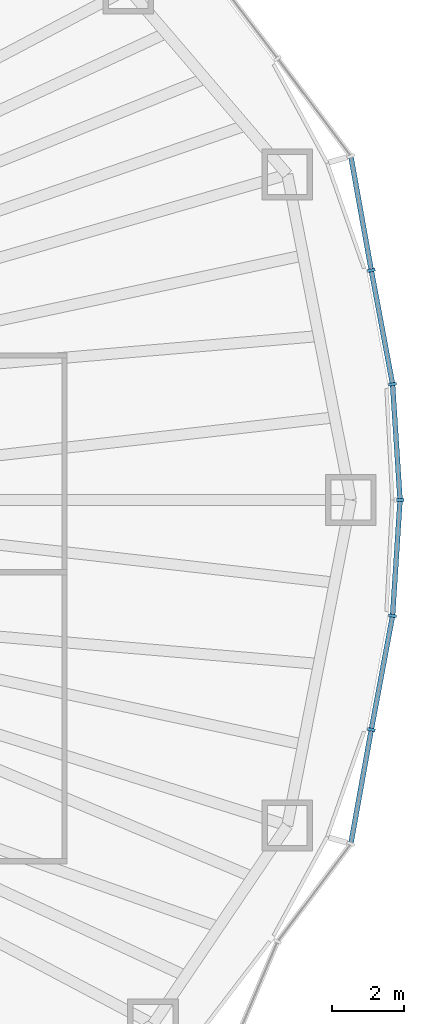
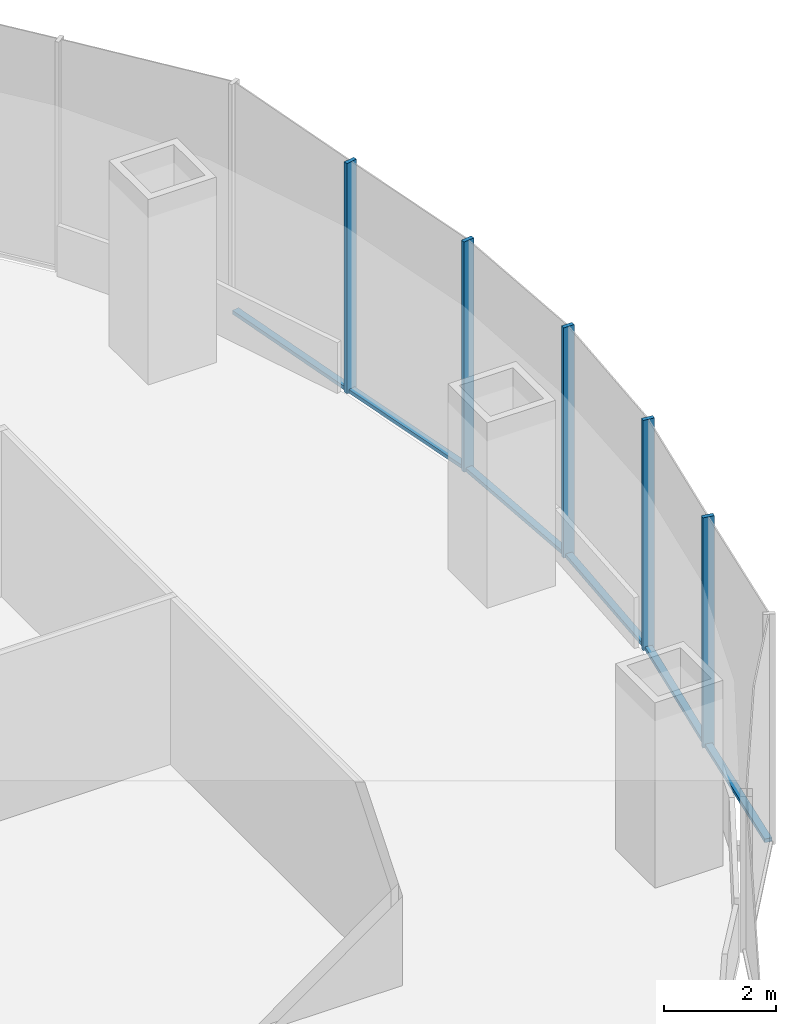
# One storey, part 7 of 18: 11 members, 2 elements without a shape of their own.
"""IFC4 building model written with IfcOpenShell, lengths in metres."""

from ifc_helpers import new_model, si_unit, direction, frame, origin, origin_2d, place, context, subcontext, project, spatial, rectangle, extrude, material, material_profile, profile_set, type_object, element, aggregate, save


model = new_model("IFC4")

# Units and contexts
model_context = context("Model", 3, precision=1e-05, world=origin(), true_north=direction((0.0, 1.0)))
body_context = subcontext(model_context, "Body", "Model", "MODEL_VIEW")
ifc_project = project(units=[si_unit("LENGTHUNIT", "METRE"), si_unit("AREAUNIT", "SQUARE_METRE"), si_unit("VOLUMEUNIT", "CUBIC_METRE"), si_unit("PLANEANGLEUNIT", "RADIAN"), si_unit("MASSUNIT", "GRAM", prefix="KILO")], contexts=[model_context])

# Site, building, storey
site_placement = place(None, origin())
site = spatial("IfcSite", under=ifc_project, at=site_placement, CompositionType="ELEMENT")
building_placement = place(site_placement, origin())
building = spatial("IfcBuilding", under=site, at=building_placement, Name="Ghaith Harvest Tower", CompositionType="ELEMENT")
storey_placement = place(building_placement, frame((0.0, 0.0, 95.0)))
storey = spatial("IfcBuildingStorey", under=building, at=storey_placement, Name="L19", CompositionType="ELEMENT", Elevation=95.0)

# Curtain wall, members
ifc_material_1 = material(Name="Black anodised aluminium and fritted glass", Category="aluminium")
curtain_wall_type = type_object("IfcCurtainWallType", Name="CW-F CURTAIN WALL", PredefinedType="NOTDEFINED", material=ifc_material_1)
curtain_wall_1_placement = place(storey_placement, origin())
curtain_wall_1 = element("IfcCurtainWall", 1, at=curtain_wall_1_placement, inside=storey, type_object=curtain_wall_type, Name="Curtain wall CW-F bay 01 L19", PredefinedType="NOTDEFINED")
ifc_material_2 = material(Name="Aluminium, black anodised", Category="aluminium")
ifc_material_profile_1 = material_profile(ifc_material_2, rectangle(XDim=0.080078125, YDim=0.219970703125, at=origin_2d()), Name="CW-F MULLION 80x220")
ifc_profile_set_1 = profile_set([ifc_material_profile_1], Name="Aluminium, black anodised")
member_type_1 = type_object("IfcMemberType", Name="CW-F MULLION 80x220", PredefinedType="MULLION", material=ifc_profile_set_1)
member_1_placement = place(storey_placement, frame((34.284912109375, 0.0, 0.0), z_axis=(0.0, 0.0, 1.0), x_axis=(1.05e-10, 1.0, 0.0)))
member_1 = element("IfcMember", 2, at=member_1_placement, type_object=member_type_1, Name="CW-F mullion 1 bay 01 L19", PredefinedType="MULLION", context=body_context, shape_type="SweptSolid", body=[
    extrude(rectangle(XDim=0.080078125, YDim=0.219970703125, at=origin_2d()), origin(), (0.0, 0.0, 1.0), 5.0),
])
member_2_placement = place(storey_placement, frame((34.077880859375, 3.205322265625, 0.0), z_axis=(0.0, 0.0, 1.0), x_axis=(-0.12416951168, 0.992261020281, 0.0)))
member_2 = element("IfcMember", 3, at=member_2_placement, type_object=member_type_1, Name="CW-F mullion 2 bay 01 L19", PredefinedType="MULLION", context=body_context, shape_type="SweptSolid", body=[
    extrude(rectangle(XDim=0.080078125, YDim=0.219970703125, at=origin_2d()), origin(), (0.0, 0.0, 1.0), 5.0),
])
member_3_placement = place(storey_placement, frame((33.489501953125, 6.3564453125, 0.0), z_axis=(0.0, 0.0, 1.0), x_axis=(-0.179943325455, 0.98367697931, 0.0)))
member_3 = element("IfcMember", 4, at=member_3_placement, type_object=member_type_1, Name="CW-F mullion 3 bay 01 L19", PredefinedType="MULLION", context=body_context, shape_type="SweptSolid", body=[
    extrude(rectangle(XDim=0.080078125, YDim=0.219970703125, at=origin_2d()), origin(), (0.0, 0.0, 1.0), 5.0),
])

curtain_wall_2_placement = place(storey_placement, origin())
curtain_wall_2 = element("IfcCurtainWall", 5, at=curtain_wall_2_placement, inside=storey, type_object=curtain_wall_type, Name="Curtain wall CW-F bay 20 L19", PredefinedType="NOTDEFINED")
member_4_placement = place(storey_placement, frame((33.489501953125, -6.3564453125, 0.0), z_axis=(0.0, 0.0, 1.0), x_axis=(0.17994332573, 0.98367697926, 0.0)))
member_4 = element("IfcMember", 6, at=member_4_placement, type_object=member_type_1, Name="CW-F mullion 2 bay 20 L19", PredefinedType="MULLION", context=body_context, shape_type="SweptSolid", body=[
    extrude(rectangle(XDim=0.080078125, YDim=0.219970703125, at=origin_2d()), origin(), (0.0, 0.0, 1.0), 5.0),
])
member_5_placement = place(storey_placement, frame((34.077880859375, -3.205322265625, 0.0), z_axis=(0.0, 0.0, 1.0), x_axis=(0.124169511819, 0.992261020264, 0.0)))
member_5 = element("IfcMember", 7, at=member_5_placement, type_object=member_type_1, Name="CW-F mullion 3 bay 20 L19", PredefinedType="MULLION", context=body_context, shape_type="SweptSolid", body=[
    extrude(rectangle(XDim=0.080078125, YDim=0.219970703125, at=origin_2d()), origin(), (0.0, 0.0, 1.0), 5.0),
])

# Member
ifc_material_3 = material(Name="Aluminium, black anodised", Category="aluminium")
ifc_material_profile_2 = material_profile(ifc_material_3, rectangle(XDim=0.139892578125, YDim=0.080078125, at=origin_2d()), Name="CW-F TRANSOM 140x80")
ifc_profile_set_2 = profile_set([ifc_material_profile_2], Name="Aluminium, black anodised")
member_type_2 = type_object("IfcMemberType", Name="CW-F TRANSOM 140x80", PredefinedType="USERDEFINED", material=ifc_profile_set_2)
member_6_placement = place(storey_placement, frame((34.282470703125, 0.039794921875, 0.0400390625), z_axis=(-0.064459898973, 0.997920298132, 0.0), x_axis=(-0.997920298132, -0.064459898973, 0.0)))
member_6 = element("IfcMember", 8, at=member_6_placement, type_object=member_type_2, Name="CW-F transom 1 bay 01 L19", ObjectType="TRANSOM", PredefinedType="USERDEFINED", context=body_context, shape_type="SweptSolid", body=[
    extrude(rectangle(XDim=0.139892578125, YDim=0.080078125, at=origin_2d()), origin(), (0.0, 0.0, 1.0), 3.13232421875),
])

member_7_placement = place(storey_placement, frame((34.070556640625, 3.24462890625, 0.0400390625), z_axis=(-0.183557496381, 0.983008975301, 0.0), x_axis=(-0.983008975301, -0.183557496381, 0.0)))
member_7 = element("IfcMember", 9, at=member_7_placement, type_object=member_type_2, Name="CW-F transom 2 bay 01 L19", ObjectType="TRANSOM", PredefinedType="USERDEFINED", context=body_context, shape_type="SweptSolid", body=[
    extrude(rectangle(XDim=0.139892578125, YDim=0.080078125, at=origin_2d()), origin(), (0.0, 0.0, 1.0), 3.125732421875),
])

member_8_placement = place(storey_placement, frame((33.482421875, 6.395751953125, 0.0400390625), z_axis=(-0.176303612865, 0.984335835013, 0.0), x_axis=(-0.984335835013, -0.176303612865, 0.0)))
member_8 = element("IfcMember", 10, at=member_8_placement, type_object=member_type_2, Name="CW-F transom 3 bay 01 L19", ObjectType="TRANSOM", PredefinedType="USERDEFINED", context=body_context, shape_type="SweptSolid", body=[
    extrude(rectangle(XDim=0.139892578125, YDim=0.080078125, at=origin_2d()), origin(), (0.0, 0.0, 1.0), 3.129638671875),
])

aggregate(curtain_wall_1, [member_1, member_6, member_2, member_7, member_3, member_8])

member_9_placement = place(storey_placement, frame((32.9306640625, -9.476318359375, 0.0400390625), z_axis=(0.176303612865, 0.984335835013, 0.0), x_axis=(-0.984335835013, 0.176303612865, 0.0)))
member_9 = element("IfcMember", 11, at=member_9_placement, type_object=member_type_2, Name="CW-F transom 1 bay 20 L19", ObjectType="TRANSOM", PredefinedType="USERDEFINED", context=body_context, shape_type="SweptSolid", body=[
    extrude(rectangle(XDim=0.139892578125, YDim=0.080078125, at=origin_2d()), origin(), (0.0, 0.0, 1.0), 3.129638671875),
])

member_10_placement = place(storey_placement, frame((33.496826171875, -6.317138671875, 0.0400390625), z_axis=(0.183557496381, 0.983008975301, 0.0), x_axis=(-0.983008975301, 0.183557496381, 0.0)))
member_10 = element("IfcMember", 12, at=member_10_placement, type_object=member_type_2, Name="CW-F transom 2 bay 20 L19", ObjectType="TRANSOM", PredefinedType="USERDEFINED", context=body_context, shape_type="SweptSolid", body=[
    extrude(rectangle(XDim=0.139892578125, YDim=0.080078125, at=origin_2d()), origin(), (0.0, 0.0, 1.0), 3.125732421875),
])

member_11_placement = place(storey_placement, frame((34.08056640625, -3.16552734375, 0.0400390625), z_axis=(0.064459898973, 0.997920298132, 0.0), x_axis=(-0.997920298132, 0.064459898973, 0.0)))
member_11 = element("IfcMember", 13, at=member_11_placement, type_object=member_type_2, Name="CW-F transom 3 bay 20 L19", ObjectType="TRANSOM", PredefinedType="USERDEFINED", context=body_context, shape_type="SweptSolid", body=[
    extrude(rectangle(XDim=0.139892578125, YDim=0.080078125, at=origin_2d()), origin(), (0.0, 0.0, 1.0), 3.13232421875),
])

aggregate(curtain_wall_2, [member_9, member_4, member_10, member_5, member_11])

save(model, "model.ifc")
